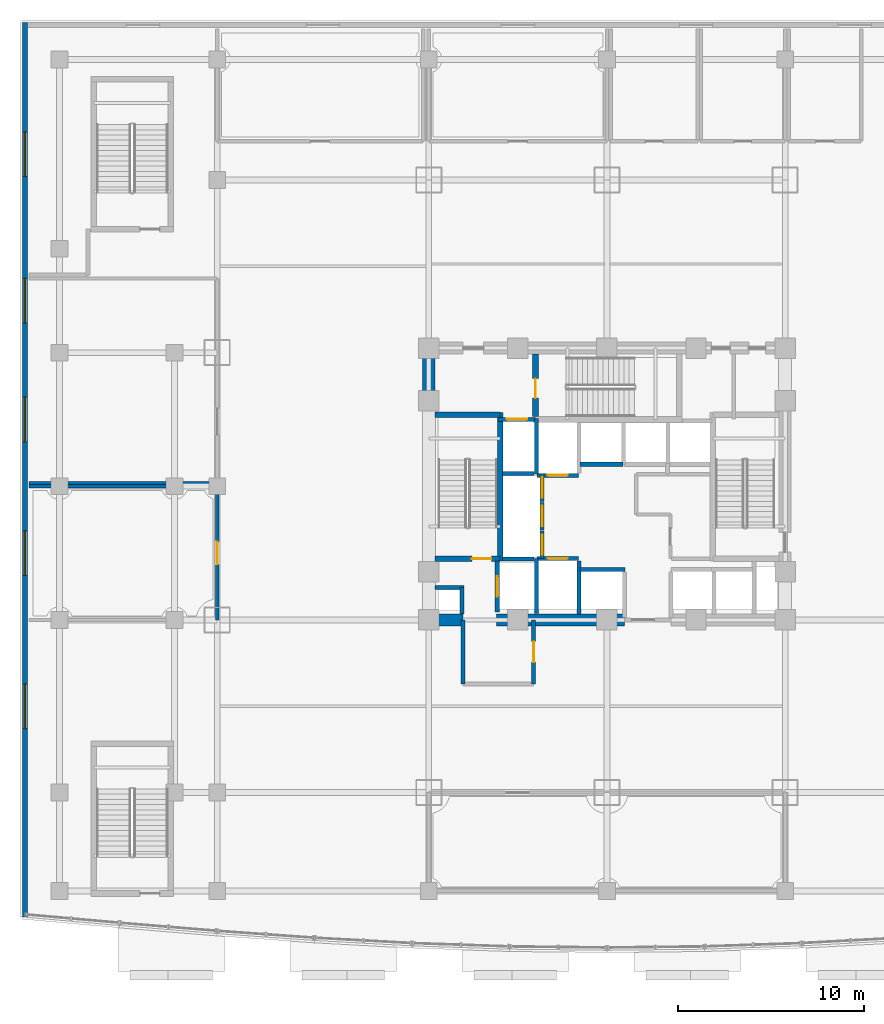
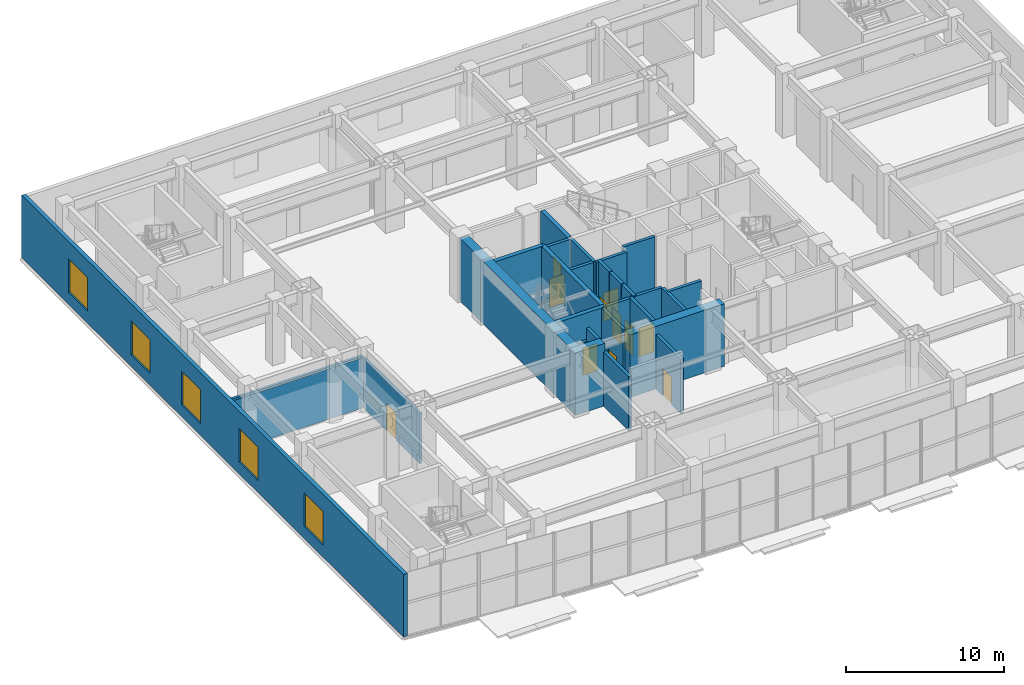
# One storey, part 12 of 24: 29 walls, 11 doors, 5 windows, 16 openings.
"""IFC4 building model written with IfcOpenShell, lengths in metres."""

from ifc_helpers import new_model, si_unit, direction, frame, frame_2d, origin, place, context, subcontext, project, spatial, rectangle, extrude, material, layer, layer_set, type_object, element, fill, save


model = new_model("IFC4")

# Units and contexts
model_context = context("Model", 3, precision=1e-05, world=origin(), true_north=direction((0.0, 1.0)))
body_context = subcontext(model_context, "Body", "Model", "MODEL_VIEW")
ifc_project = project(units=[si_unit("LENGTHUNIT", "METRE"), si_unit("AREAUNIT", "SQUARE_METRE"), si_unit("VOLUMEUNIT", "CUBIC_METRE"), si_unit("PLANEANGLEUNIT", "RADIAN"), si_unit("MASSUNIT", "GRAM", prefix="KILO")], contexts=[model_context])

# Site, building, storey
site_placement = place(None, origin())
site = spatial("IfcSite", under=ifc_project, at=site_placement, CompositionType="ELEMENT")
building_placement = place(site_placement, origin())
building = spatial("IfcBuilding", under=site, at=building_placement, Name="Vantalir Tower", CompositionType="ELEMENT")
storey_placement = place(building_placement, frame((0.0, 0.0, 6.0)))
storey = spatial("IfcBuildingStorey", under=building, at=storey_placement, Name="L01", CompositionType="ELEMENT", Elevation=6.0)

# Walls
ifc_material_1 = material(Name="Concrete C60/75", Category="concrete")
ifc_layer_1 = layer(ifc_material_1, 0.64990234375)
ifc_layer_set_1 = layer_set([ifc_layer_1], Name="Concrete C60/75")
wall_type_1 = type_object("IfcWallType", Name="WL-CORE-650", PredefinedType="SHEAR", material=ifc_layer_set_1)
wall_1_placement = place(storey_placement, frame((21.574951171875, 17.800048828125, 0.0), z_axis=(0.0, 0.0, 1.0), x_axis=(1.0, 0.0, 0.0)))
element("IfcWall", 1, at=wall_1_placement, inside=storey, type_object=wall_type_1, Name="Floor 1 Core Shear Wall South-West", PredefinedType="SHEAR", context=body_context, shape_type="SweptSolid", body=[
    extrude(rectangle(XDim=2.175048828125, YDim=0.64990234375, at=frame_2d((1.08740234375, 0.0))), origin(), (0.0, 0.0, 1.0), 4.820068359375),
])
wall_2_placement = place(storey_placement, frame((25.550048828125, 17.800048828125, 0.0), z_axis=(0.0, 0.0, 1.0), x_axis=(1.0, 0.0, 0.0)))
element("IfcWall", 2, at=wall_2_placement, inside=storey, type_object=wall_type_1, Name="Floor 1 Core Shear Wall South-Mid", PredefinedType="SHEAR", context=body_context, shape_type="SweptSolid", body=[
    extrude(rectangle(XDim=6.89990234375, YDim=0.64990234375, at=frame_2d((3.449951171875, 0.0))), origin(), (0.0, 0.0, 1.0), 4.820068359375),
])
wall_3_placement = place(storey_placement, frame((21.89990234375, 18.125, 0.0), z_axis=(0.0, 0.0, 1.0), x_axis=(0.0, 1.0, 0.0)))
element("IfcWall", 3, at=wall_3_placement, inside=storey, type_object=wall_type_1, Name="Floor 1 Core Shear Wall West", PredefinedType="SHEAR", context=body_context, shape_type="SweptSolid", body=[
    extrude(rectangle(XDim=14.0, YDim=0.64990234375, at=frame_2d((7.0, 0.0))), origin(), (0.0, 0.0, 1.0), 4.820068359375),
])

# Wall, openings, windows
ifc_material_2 = material(Name="Precast concrete C40/50 with insulated PVDF rainscreen", Category="concrete")
ifc_layer_2 = layer(ifc_material_2, 0.280029296875)
ifc_layer_set_2 = layer_set([ifc_layer_2], Name="Precast concrete C40/50 with insulated PVDF rainscreen")
wall_type_2 = type_object("IfcWallType", Name="WL-EXT-POD-280", PredefinedType="SOLIDWALL", material=ifc_layer_set_2)
wall_4_placement = place(storey_placement, frame((0.139892578125, 50.0, 0.0), z_axis=(0.0, 0.0, 1.0), x_axis=(0.0, -1.0, 0.0)))
wall_4 = element("IfcWall", 4, at=wall_4_placement, inside=storey, type_object=wall_type_2, Name="Level 01 Podium West Precast Facade Wall", PredefinedType="SOLIDWALL", context=body_context, shape_type="SweptSolid", body=[
    extrude(rectangle(XDim=48.199951171875, YDim=0.280029296875, at=frame_2d((24.10009765625, 0.0))), origin(), (0.0, 0.0, 1.0), 4.820068359375),
])
opening_1_placement = place(wall_4_placement, frame((35.64990234375, 0.0, 0.89990234375)))
opening_1 = element("IfcOpeningElement", 5, at=opening_1_placement, cuts=wall_4, Name="Opening WN-1", PredefinedType="OPENING", context=body_context, shape_type="SweptSolid", body=[
    extrude(rectangle(XDim=2.39990234375, YDim=2.60009765625, at=frame_2d((1.199951171875, 1.300048828125))), frame((0.0, 0.14990234375, 0.0), z_axis=(0.0, -1.0, 0.0), x_axis=(1.0, 0.0, 0.0)), (0.0, 0.0, 1.0), 0.300048828125),
])
opening_2_placement = place(wall_4_placement, frame((27.39990234375, 0.0, 0.89990234375)))
opening_2 = element("IfcOpeningElement", 6, at=opening_2_placement, cuts=wall_4, Name="Opening WN-1", PredefinedType="OPENING", context=body_context, shape_type="SweptSolid", body=[
    extrude(rectangle(XDim=2.39990234375, YDim=2.60009765625, at=frame_2d((1.199951171875, 1.300048828125))), frame((0.0, 0.14990234375, 0.0), z_axis=(0.0, -1.0, 0.0), x_axis=(1.0, 0.0, 0.0)), (0.0, 0.0, 1.0), 0.300048828125),
])
opening_3_placement = place(wall_4_placement, frame((20.199951171875, 0.0, 0.89990234375)))
opening_3 = element("IfcOpeningElement", 7, at=opening_3_placement, cuts=wall_4, Name="Opening WN-1", PredefinedType="OPENING", context=body_context, shape_type="SweptSolid", body=[
    extrude(rectangle(XDim=2.39990234375, YDim=2.60009765625, at=frame_2d((1.199951171875, 1.300048828125))), frame((0.0, 0.14990234375, 0.0), z_axis=(0.0, -1.0, 0.0), x_axis=(1.0, 0.0, 0.0)), (0.0, 0.0, 1.0), 0.300048828125),
])
opening_4_placement = place(wall_4_placement, frame((13.800048828125, 0.0, 0.89990234375)))
opening_4 = element("IfcOpeningElement", 8, at=opening_4_placement, cuts=wall_4, Name="Opening WN-1", PredefinedType="OPENING", context=body_context, shape_type="SweptSolid", body=[
    extrude(rectangle(XDim=2.39990234375, YDim=2.60009765625, at=frame_2d((1.199951171875, 1.300048828125))), frame((0.0, 0.14990234375, 0.0), z_axis=(0.0, -1.0, 0.0), x_axis=(1.0, 0.0, 0.0)), (0.0, 0.0, 1.0), 0.300048828125),
])
opening_5_placement = place(wall_4_placement, frame((5.89990234375, 0.0, 0.89990234375)))
opening_5 = element("IfcOpeningElement", 9, at=opening_5_placement, cuts=wall_4, Name="Opening WN-1", PredefinedType="OPENING", context=body_context, shape_type="SweptSolid", body=[
    extrude(rectangle(XDim=2.39990234375, YDim=2.60009765625, at=frame_2d((1.199951171875, 1.300048828125))), frame((0.0, 0.14990234375, 0.0), z_axis=(0.0, -1.0, 0.0), x_axis=(1.0, 0.0, 0.0)), (0.0, 0.0, 1.0), 0.300048828125),
])
ifc_material_3 = material(Name="Double-silver Low-E thermally broken window", Category="glass")
window_type = type_object("IfcWindowType", Name="WIN-POD-2400x2600", PartitioningType="SINGLE_PANEL", PredefinedType="WINDOW", material=ifc_material_3)
window_1_placement = place(opening_1_placement, origin())
window_1 = element("IfcWindow", 10, at=window_1_placement, inside=storey, type_object=window_type, Name="Level 01 West Podium Window W01", OverallHeight=2.60009765625, OverallWidth=2.39990234375, PartitioningType="SINGLE_PANEL", PredefinedType="WINDOW", context=body_context, shape_type="SweptSolid", body=[
    extrude(rectangle(XDim=2.39990234375, YDim=2.60009765625, at=frame_2d((1.199951171875, 1.300048828125))), frame((0.0, 0.030029296875, 0.0), z_axis=(0.0, -1.0, 0.0), x_axis=(1.0, 0.0, 0.0)), (0.0, 0.0, 1.0), 0.06005859375),
])
fill(opening_1, window_1)
window_2_placement = place(opening_2_placement, origin())
window_2 = element("IfcWindow", 11, at=window_2_placement, inside=storey, type_object=window_type, Name="Level 01 West Podium Window W02", OverallHeight=2.60009765625, OverallWidth=2.39990234375, PartitioningType="SINGLE_PANEL", PredefinedType="WINDOW", context=body_context, shape_type="SweptSolid", body=[
    extrude(rectangle(XDim=2.39990234375, YDim=2.60009765625, at=frame_2d((1.199951171875, 1.300048828125))), frame((0.0, 0.030029296875, 0.0), z_axis=(0.0, -1.0, 0.0), x_axis=(1.0, 0.0, 0.0)), (0.0, 0.0, 1.0), 0.06005859375),
])
fill(opening_2, window_2)
window_3_placement = place(opening_3_placement, origin())
window_3 = element("IfcWindow", 12, at=window_3_placement, inside=storey, type_object=window_type, Name="Level 01 West Podium Window W03", OverallHeight=2.60009765625, OverallWidth=2.39990234375, PartitioningType="SINGLE_PANEL", PredefinedType="WINDOW", context=body_context, shape_type="SweptSolid", body=[
    extrude(rectangle(XDim=2.39990234375, YDim=2.60009765625, at=frame_2d((1.199951171875, 1.300048828125))), frame((0.0, 0.030029296875, 0.0), z_axis=(0.0, -1.0, 0.0), x_axis=(1.0, 0.0, 0.0)), (0.0, 0.0, 1.0), 0.06005859375),
])
fill(opening_3, window_3)
window_4_placement = place(opening_4_placement, origin())
window_4 = element("IfcWindow", 13, at=window_4_placement, inside=storey, type_object=window_type, Name="Level 01 West Podium Window W04", OverallHeight=2.60009765625, OverallWidth=2.39990234375, PartitioningType="SINGLE_PANEL", PredefinedType="WINDOW", context=body_context, shape_type="SweptSolid", body=[
    extrude(rectangle(XDim=2.39990234375, YDim=2.60009765625, at=frame_2d((1.199951171875, 1.300048828125))), frame((0.0, 0.030029296875, 0.0), z_axis=(0.0, -1.0, 0.0), x_axis=(1.0, 0.0, 0.0)), (0.0, 0.0, 1.0), 0.06005859375),
])
fill(opening_4, window_4)
window_5_placement = place(opening_5_placement, origin())
window_5 = element("IfcWindow", 14, at=window_5_placement, inside=storey, type_object=window_type, Name="Level 01 West Podium Window W05", OverallHeight=2.60009765625, OverallWidth=2.39990234375, PartitioningType="SINGLE_PANEL", PredefinedType="WINDOW", context=body_context, shape_type="SweptSolid", body=[
    extrude(rectangle(XDim=2.39990234375, YDim=2.60009765625, at=frame_2d((1.199951171875, 1.300048828125))), frame((0.0, 0.030029296875, 0.0), z_axis=(0.0, -1.0, 0.0), x_axis=(1.0, 0.0, 0.0)), (0.0, 0.0, 1.0), 0.06005859375),
])
fill(opening_5, window_5)

# Walls
ifc_material_4 = material(Name="Concrete blockwork with fireboard lining", Category="masonry")
ifc_layer_3 = layer(ifc_material_4, 0.219970703125)
ifc_layer_set_3 = layer_set([ifc_layer_3], Name="Concrete blockwork with fireboard lining")
wall_type_3 = type_object("IfcWallType", Name="WL-FFL-220", PredefinedType="PARTITIONING", material=ifc_layer_set_3)
wall_5_placement = place(storey_placement, frame((30.0, 18.080078125, 0.0), z_axis=(0.0, 0.0, 1.0), x_axis=(0.0, 1.0, 0.0)))
element("IfcWall", 15, at=wall_5_placement, inside=storey, type_object=wall_type_3, Name="Level 01 Service Lift SV1 East Shaft Wall", PredefinedType="PARTITIONING", context=body_context, shape_type="SweptSolid", body=[
    extrude(rectangle(XDim=2.89990234375, YDim=0.219970703125, at=frame_2d((1.449951171875, 0.0))), origin(), (0.0, 0.0, 1.0), 4.794921875),
])
wall_6_placement = place(storey_placement, frame((23.679931640625, 18.125, 0.0), z_axis=(0.0, 0.0, 1.0), x_axis=(0.0, 1.0, 0.0)))
element("IfcWall", 16, at=wall_6_placement, inside=storey, type_object=wall_type_3, Name="Floor 1 West MEP Riser Wall E", PredefinedType="PARTITIONING", context=body_context, shape_type="SweptSolid", body=[
    extrude(rectangle(XDim=1.425048828125, YDim=0.219970703125, at=frame_2d((0.71240234375, 0.0))), origin(), (0.0, 0.0, 1.0), 4.800048828125),
])
wall_7_placement = place(storey_placement, frame((22.22509765625, 19.550048828125, 0.0), z_axis=(0.0, 0.0, 1.0), x_axis=(1.0, 0.0, 0.0)))
element("IfcWall", 17, at=wall_7_placement, inside=storey, type_object=wall_type_3, Name="Floor 1 West MEP Riser Wall N", PredefinedType="PARTITIONING", context=body_context, shape_type="SweptSolid", body=[
    extrude(rectangle(XDim=1.56494140625, YDim=0.219970703125, at=frame_2d((0.782470703125, 0.0))), origin(), (0.0, 0.0, 1.0), 3.844970703125),
])

# Wall, opening, door
wall_8_placement = place(storey_placement, frame((25.590087890625, 18.219970703125, 0.0), z_axis=(0.0, 0.0, 1.0), x_axis=(0.0, 1.0, 0.0)))
wall_8 = element("IfcWall", 18, at=wall_8_placement, inside=storey, type_object=wall_type_3, Name="Floor 1 Lift FL1 Shaft Front Wall", PredefinedType="PARTITIONING", context=body_context, shape_type="SweptSolid", body=[
    extrude(rectangle(XDim=2.760009765625, YDim=0.219970703125, at=frame_2d((1.3798828125, 0.0))), origin(), (0.0, 0.0, 1.0), 4.800048828125),
])
opening_6_placement = place(wall_8_placement, frame((0.830078125, 0.0, 0.0)))
opening_6 = element("IfcOpeningElement", 19, at=opening_6_placement, cuts=wall_8, Name="Opening LD-FL1", PredefinedType="OPENING", context=body_context, shape_type="SweptSolid", body=[
    extrude(rectangle(XDim=1.10009765625, YDim=2.199951171875, at=frame_2d((0.550048828125, 1.10009765625))), frame((0.0, 0.119873046875, 0.0), z_axis=(0.0, -1.0, 0.0), x_axis=(1.0, 0.0, 0.0)), (0.0, 0.0, 1.0), 0.239990234375),
])
ifc_material_5 = material(Name="Brushed stainless-steel sliding lift landing door", Category="steel")
door_type_1 = type_object("IfcDoorType", Name="DR-LIFT-LANDING-1100", OperationType="DOUBLE_DOOR_SLIDING", PredefinedType="DOOR", material=ifc_material_5)
door_1_placement = place(opening_6_placement, origin())
door_1 = element("IfcDoor", 20, at=door_1_placement, inside=storey, type_object=door_type_1, Name="Floor 1 Lift Landing Door FL1", OperationType="DOUBLE_DOOR_SLIDING", OverallHeight=2.199951171875, OverallWidth=1.10009765625, PredefinedType="DOOR", context=body_context, shape_type="SweptSolid", body=[
    extrude(rectangle(XDim=1.10009765625, YDim=2.199951171875, at=frame_2d((0.550048828125, 1.10009765625))), frame((0.0, 0.02490234375, 0.0), z_axis=(0.0, -1.0, 0.0), x_axis=(1.0, 0.0, 0.0)), (0.0, 0.0, 1.0), 0.050048828125),
])
fill(opening_6, door_1)

wall_9_placement = place(storey_placement, frame((25.639892578125, 28.610107421875, 0.0), z_axis=(0.0, 0.0, 1.0), x_axis=(1.0, 0.0, 0.0)))
wall_9 = element("IfcWall", 21, at=wall_9_placement, inside=storey, type_object=wall_type_3, Name="Floor 1 Lift FL2 Shaft Front Wall", PredefinedType="PARTITIONING", context=body_context, shape_type="SweptSolid", body=[
    extrude(rectangle(XDim=2.02001953125, YDim=0.219970703125, at=frame_2d((1.010009765625, 0.0))), origin(), (0.0, 0.0, 1.0), 4.800048828125),
])
opening_7_placement = place(wall_9_placement, frame((0.4599609375, 0.0, 0.0)))
opening_7 = element("IfcOpeningElement", 22, at=opening_7_placement, cuts=wall_9, Name="Opening LD-FL2", PredefinedType="OPENING", context=body_context, shape_type="SweptSolid", body=[
    extrude(rectangle(XDim=1.10009765625, YDim=2.199951171875, at=frame_2d((0.550048828125, 1.10009765625))), frame((0.0, 0.119873046875, 0.0), z_axis=(0.0, -1.0, 0.0), x_axis=(1.0, 0.0, 0.0)), (0.0, 0.0, 1.0), 0.239990234375),
])
door_2_placement = place(opening_7_placement, origin())
door_2 = element("IfcDoor", 23, at=door_2_placement, inside=storey, type_object=door_type_1, Name="Floor 1 Lift Landing Door FL2", OperationType="DOUBLE_DOOR_SLIDING", OverallHeight=2.199951171875, OverallWidth=1.10009765625, PredefinedType="DOOR", context=body_context, shape_type="SweptSolid", body=[
    extrude(rectangle(XDim=1.10009765625, YDim=2.199951171875, at=frame_2d((0.550048828125, 1.10009765625))), frame((0.0, 0.02490234375, 0.0), z_axis=(0.0, -1.0, 0.0), x_axis=(1.0, 0.0, 0.0)), (0.0, 0.0, 1.0), 0.050048828125),
])
fill(opening_7, door_2)

wall_10_placement = place(storey_placement, frame((27.739990234375, 21.110107421875, 0.0), z_axis=(0.0, 0.0, 1.0), x_axis=(1.0, 0.0, 0.0)))
wall_10 = element("IfcWall", 24, at=wall_10_placement, inside=storey, type_object=wall_type_3, Name="Floor 1 Lift SV1 Shaft Front Wall", PredefinedType="PARTITIONING", context=body_context, shape_type="SweptSolid", body=[
    extrude(rectangle(XDim=2.219970703125, YDim=0.219970703125, at=frame_2d((1.10986328125, 0.0))), origin(), (0.0, 0.0, 1.0), 4.800048828125),
])
opening_8_placement = place(wall_10_placement, frame((0.56005859375, 0.0, 0.0)))
opening_8 = element("IfcOpeningElement", 25, at=opening_8_placement, cuts=wall_10, Name="Opening LD-SV1", PredefinedType="OPENING", context=body_context, shape_type="SweptSolid", body=[
    extrude(rectangle(XDim=1.10009765625, YDim=2.199951171875, at=frame_2d((0.550048828125, 1.10009765625))), frame((0.0, 0.119873046875, 0.0), z_axis=(0.0, -1.0, 0.0), x_axis=(1.0, 0.0, 0.0)), (0.0, 0.0, 1.0), 0.239990234375),
])
door_3_placement = place(opening_8_placement, origin())
door_3 = element("IfcDoor", 26, at=door_3_placement, inside=storey, type_object=door_type_1, Name="Floor 1 Lift Landing Door SV1", OperationType="DOUBLE_DOOR_SLIDING", OverallHeight=2.199951171875, OverallWidth=1.10009765625, PredefinedType="DOOR", context=body_context, shape_type="SweptSolid", body=[
    extrude(rectangle(XDim=1.10009765625, YDim=2.199951171875, at=frame_2d((0.550048828125, 1.10009765625))), frame((0.0, 0.02490234375, 0.0), z_axis=(0.0, -1.0, 0.0), x_axis=(1.0, 0.0, 0.0)), (0.0, 0.0, 1.0), 0.050048828125),
])
fill(opening_8, door_3)

wall_11_placement = place(storey_placement, frame((27.739990234375, 25.590087890625, 0.0), z_axis=(0.0, 0.0, 1.0), x_axis=(1.0, 0.0, 0.0)))
wall_11 = element("IfcWall", 27, at=wall_11_placement, inside=storey, type_object=wall_type_3, Name="Floor 1 Lift SV2 Shaft Front Wall", PredefinedType="PARTITIONING", context=body_context, shape_type="SweptSolid", body=[
    extrude(rectangle(XDim=2.219970703125, YDim=0.219970703125, at=frame_2d((1.10986328125, 0.0))), origin(), (0.0, 0.0, 1.0), 4.800048828125),
])
opening_9_placement = place(wall_11_placement, frame((0.56005859375, 0.0, 0.0)))
opening_9 = element("IfcOpeningElement", 28, at=opening_9_placement, cuts=wall_11, Name="Opening LD-SV2", PredefinedType="OPENING", context=body_context, shape_type="SweptSolid", body=[
    extrude(rectangle(XDim=1.10009765625, YDim=2.199951171875, at=frame_2d((0.550048828125, 1.10009765625))), frame((0.0, 0.119873046875, 0.0), z_axis=(0.0, -1.0, 0.0), x_axis=(1.0, 0.0, 0.0)), (0.0, 0.0, 1.0), 0.239990234375),
])
door_4_placement = place(opening_9_placement, frame((1.10009765625, 0.0, 0.0), z_axis=(0.0, 0.0, 1.0), x_axis=(-1.0, 0.0, 0.0)))
door_4 = element("IfcDoor", 29, at=door_4_placement, inside=storey, type_object=door_type_1, Name="Floor 1 Lift Landing Door SV2", OperationType="DOUBLE_DOOR_SLIDING", OverallHeight=2.199951171875, OverallWidth=1.10009765625, PredefinedType="DOOR", context=body_context, shape_type="SweptSolid", body=[
    extrude(rectangle(XDim=1.10009765625, YDim=2.199951171875, at=frame_2d((0.550048828125, 1.10009765625))), frame((0.0, 0.02490234375, 0.0), z_axis=(0.0, -1.0, 0.0), x_axis=(1.0, 0.0, 0.0)), (0.0, 0.0, 1.0), 0.050048828125),
])
fill(opening_9, door_4)

# Walls
wall_12_placement = place(storey_placement, frame((30.0400390625, 20.510009765625, 0.0), z_axis=(0.0, 0.0, 1.0), x_axis=(1.0, 0.0, 0.0)))
element("IfcWall", 30, at=wall_12_placement, inside=storey, type_object=wall_type_3, Name="Floor 1 Lift PL-X1 Shaft Front Wall", PredefinedType="PARTITIONING", context=body_context, shape_type="SweptSolid", body=[
    extrude(rectangle(XDim=2.419921875, YDim=0.219970703125, at=frame_2d((1.2099609375, 0.0))), origin(), (0.0, 0.0, 1.0), 4.800048828125),
])
wall_13_placement = place(storey_placement, frame((30.0400390625, 26.18994140625, 0.0), z_axis=(0.0, 0.0, 1.0), x_axis=(1.0, 0.0, 0.0)))
element("IfcWall", 31, at=wall_13_placement, inside=storey, type_object=wall_type_3, Name="Floor 1 Lift PL-H1 Shaft Front Wall", PredefinedType="PARTITIONING", context=body_context, shape_type="SweptSolid", body=[
    extrude(rectangle(XDim=2.320068359375, YDim=0.219970703125, at=frame_2d((1.16015625, 0.0))), origin(), (0.0, 0.0, 1.0), 4.800048828125),
])

# Wall, opening, door
wall_14_placement = place(storey_placement, frame((28.010009765625, 21.10009765625, 0.0), z_axis=(0.0, 0.0, 1.0), x_axis=(0.0, 1.0, 0.0)))
wall_14 = element("IfcWall", 32, at=wall_14_placement, inside=storey, type_object=wall_type_3, Name="Floor 1 Lift PL-L1 Shaft Front Wall", PredefinedType="PARTITIONING", context=body_context, shape_type="SweptSolid", body=[
    extrude(rectangle(XDim=1.5, YDim=0.219970703125, at=frame_2d((0.75, 0.0))), origin(), (0.0, 0.0, 1.0), 4.800048828125),
])
opening_10_placement = place(wall_14_placement, frame((0.199951171875, 0.0, 0.0)))
opening_10 = element("IfcOpeningElement", 33, at=opening_10_placement, cuts=wall_14, Name="Opening LD-PL-L1", PredefinedType="OPENING", context=body_context, shape_type="SweptSolid", body=[
    extrude(rectangle(XDim=1.10009765625, YDim=2.199951171875, at=frame_2d((0.550048828125, 1.10009765625))), frame((0.0, 0.119873046875, 0.0), z_axis=(0.0, -1.0, 0.0), x_axis=(1.0, 0.0, 0.0)), (0.0, 0.0, 1.0), 0.239990234375),
])
door_5_placement = place(opening_10_placement, frame((1.10009765625, 0.0, 0.0), z_axis=(0.0, 0.0, 1.0), x_axis=(-1.0, 0.0, 0.0)))
door_5 = element("IfcDoor", 34, at=door_5_placement, inside=storey, type_object=door_type_1, Name="Floor 1 Lift Landing Door PL-L1", OperationType="DOUBLE_DOOR_SLIDING", OverallHeight=2.199951171875, OverallWidth=1.10009765625, PredefinedType="DOOR", context=body_context, shape_type="SweptSolid", body=[
    extrude(rectangle(XDim=1.10009765625, YDim=2.199951171875, at=frame_2d((0.550048828125, 1.10009765625))), frame((0.0, 0.02490234375, 0.0), z_axis=(0.0, -1.0, 0.0), x_axis=(1.0, 0.0, 0.0)), (0.0, 0.0, 1.0), 0.050048828125),
])
fill(opening_10, door_5)

wall_15_placement = place(storey_placement, frame((28.010009765625, 22.639892578125, 0.0), z_axis=(0.0, 0.0, 1.0), x_axis=(0.0, 1.0, 0.0)))
wall_15 = element("IfcWall", 35, at=wall_15_placement, inside=storey, type_object=wall_type_3, Name="Floor 1 Lift PL-L2 Shaft Front Wall", PredefinedType="PARTITIONING", context=body_context, shape_type="SweptSolid", body=[
    extrude(rectangle(XDim=1.5, YDim=0.219970703125, at=frame_2d((0.75, 0.0))), origin(), (0.0, 0.0, 1.0), 4.800048828125),
])
opening_11_placement = place(wall_15_placement, frame((0.199951171875, 0.0, 0.0)))
opening_11 = element("IfcOpeningElement", 36, at=opening_11_placement, cuts=wall_15, Name="Opening LD-PL-L2", PredefinedType="OPENING", context=body_context, shape_type="SweptSolid", body=[
    extrude(rectangle(XDim=1.10009765625, YDim=2.199951171875, at=frame_2d((0.550048828125, 1.10009765625))), frame((0.0, 0.119873046875, 0.0), z_axis=(0.0, -1.0, 0.0), x_axis=(1.0, 0.0, 0.0)), (0.0, 0.0, 1.0), 0.239990234375),
])
door_6_placement = place(opening_11_placement, frame((1.10009765625, 0.0, 0.0), z_axis=(0.0, 0.0, 1.0), x_axis=(-1.0, 0.0, 0.0)))
door_6 = element("IfcDoor", 37, at=door_6_placement, inside=storey, type_object=door_type_1, Name="Floor 1 Lift Landing Door PL-L2", OperationType="DOUBLE_DOOR_SLIDING", OverallHeight=2.199951171875, OverallWidth=1.10009765625, PredefinedType="DOOR", context=body_context, shape_type="SweptSolid", body=[
    extrude(rectangle(XDim=1.10009765625, YDim=2.199951171875, at=frame_2d((0.550048828125, 1.10009765625))), frame((0.0, 0.02490234375, 0.0), z_axis=(0.0, -1.0, 0.0), x_axis=(1.0, 0.0, 0.0)), (0.0, 0.0, 1.0), 0.050048828125),
])
fill(opening_11, door_6)

wall_16_placement = place(storey_placement, frame((28.010009765625, 24.179931640625, 0.0), z_axis=(0.0, 0.0, 1.0), x_axis=(0.0, 1.0, 0.0)))
wall_16 = element("IfcWall", 38, at=wall_16_placement, inside=storey, type_object=wall_type_3, Name="Floor 1 Lift PL-L3 Shaft Front Wall", PredefinedType="PARTITIONING", context=body_context, shape_type="SweptSolid", body=[
    extrude(rectangle(XDim=1.5, YDim=0.219970703125, at=frame_2d((0.75, 0.0))), origin(), (0.0, 0.0, 1.0), 4.800048828125),
])
opening_12_placement = place(wall_16_placement, frame((0.199951171875, 0.0, 0.0)))
opening_12 = element("IfcOpeningElement", 39, at=opening_12_placement, cuts=wall_16, Name="Opening LD-PL-L3", PredefinedType="OPENING", context=body_context, shape_type="SweptSolid", body=[
    extrude(rectangle(XDim=1.10009765625, YDim=2.199951171875, at=frame_2d((0.550048828125, 1.10009765625))), frame((0.0, 0.119873046875, 0.0), z_axis=(0.0, -1.0, 0.0), x_axis=(1.0, 0.0, 0.0)), (0.0, 0.0, 1.0), 0.239990234375),
])
door_7_placement = place(opening_12_placement, frame((1.10009765625, 0.0, 0.0), z_axis=(0.0, 0.0, 1.0), x_axis=(-1.0, 0.0, 0.0)))
door_7 = element("IfcDoor", 40, at=door_7_placement, inside=storey, type_object=door_type_1, Name="Floor 1 Lift Landing Door PL-L3", OperationType="DOUBLE_DOOR_SLIDING", OverallHeight=2.199951171875, OverallWidth=1.10009765625, PredefinedType="DOOR", context=body_context, shape_type="SweptSolid", body=[
    extrude(rectangle(XDim=1.10009765625, YDim=2.199951171875, at=frame_2d((0.550048828125, 1.10009765625))), frame((0.0, 0.02490234375, 0.0), z_axis=(0.0, -1.0, 0.0), x_axis=(1.0, 0.0, 0.0)), (0.0, 0.0, 1.0), 0.050048828125),
])
fill(opening_12, door_7)

# Walls
wall_17_placement = place(storey_placement, frame((27.699951171875, 18.14990234375, 0.0), z_axis=(0.0, 0.0, 1.0), x_axis=(0.0, 1.0, 0.0)))
element("IfcWall", 41, at=wall_17_placement, inside=storey, type_object=wall_type_3, Name="Floor 1 Fire Lift FL1 Dividing Wall", PredefinedType="PARTITIONING", context=body_context, shape_type="SweptSolid", body=[
    extrude(rectangle(XDim=2.9501953125, YDim=0.219970703125, at=frame_2d((1.47509765625, 0.0))), origin(), (0.0, 0.0, 1.0), 4.800048828125),
])
wall_18_placement = place(storey_placement, frame((27.699951171875, 25.64990234375, 0.0), z_axis=(0.0, 0.0, 1.0), x_axis=(0.0, 1.0, 0.0)))
element("IfcWall", 42, at=wall_18_placement, inside=storey, type_object=wall_type_3, Name="Floor 1 Fire Lift FL2 Dividing Wall", PredefinedType="PARTITIONING", context=body_context, shape_type="SweptSolid", body=[
    extrude(rectangle(XDim=3.0, YDim=0.219970703125, at=frame_2d((1.5, 0.0))), origin(), (0.0, 0.0, 1.0), 4.800048828125),
])
for number, where, z_axis, x_axis, name in (
    (43, (25.8798828125, 21.080078125, 0.0), (0.0, 0.0, 1.0), (1.0, 0.0, 0.0), "Floor 1 Low-Rise Bank South Wall"),
    (44, (25.8798828125, 25.679931640625, 0.0), (0.0, 0.0, 1.0), (1.0, 0.0, 0.0), "Floor 1 Low-Rise Bank North Wall"),
):
    element("IfcWall", number, at=place(storey_placement, frame(where, z_axis=z_axis, x_axis=x_axis)), inside=storey, type_object=wall_type_3, Name=name, PredefinedType="PARTITIONING", context=body_context, shape_type="SweptSolid", body=[
        extrude(rectangle(XDim=1.7001953125, YDim=0.219970703125, at=frame_2d((0.85009765625, 0.0))), origin(), (0.0, 0.0, 1.0), 4.800048828125),
    ])
wall_19_placement = place(storey_placement, frame((23.75, 14.35009765625, 0.0), z_axis=(0.0, 0.0, 1.0), x_axis=(0.0, 1.0, 0.0)))
element("IfcWall", 45, at=wall_19_placement, inside=storey, type_object=wall_type_3, Name="Floor 1 Firefighting Lobby West Outer W", PredefinedType="PARTITIONING", context=body_context, shape_type="SweptSolid", body=[
    extrude(rectangle(XDim=3.449951171875, YDim=0.219970703125, at=frame_2d((1.72509765625, 0.0))), origin(), (0.0, 0.0, 1.0), 4.177978515625),
])

# Wall, opening, door
wall_20_placement = place(storey_placement, frame((27.550048828125, 14.35009765625, 0.0), z_axis=(0.0, 0.0, 1.0), x_axis=(0.0, 1.0, 0.0)))
wall_20 = element("IfcWall", 46, at=wall_20_placement, inside=storey, type_object=wall_type_3, Name="Floor 1 Firefighting Lobby West East Wall", PredefinedType="PARTITIONING", context=body_context, shape_type="SweptSolid", body=[
    extrude(rectangle(XDim=3.449951171875, YDim=0.219970703125, at=frame_2d((1.72509765625, 0.0))), origin(), (0.0, 0.0, 1.0), 4.177978515625),
])
opening_13_placement = place(wall_20_placement, frame((1.175048828125, 0.0, 0.0)))
opening_13 = element("IfcOpeningElement", 47, at=opening_13_placement, cuts=wall_20, Name="Opening D-FFL", PredefinedType="OPENING", context=body_context, shape_type="SweptSolid", body=[
    extrude(rectangle(XDim=1.10009765625, YDim=2.10009765625, at=frame_2d((0.550048828125, 1.050048828125))), frame((0.0, 0.119873046875, 0.0), z_axis=(0.0, -1.0, 0.0), x_axis=(1.0, 0.0, 0.0)), (0.0, 0.0, 1.0), 0.239990234375),
])
ifc_material_6 = material(Name="Fire-rated acoustic steel door", Category="steel")
door_type_2 = type_object("IfcDoorType", Name="DR-FIRE-LOBBY-1100", OperationType="NOTDEFINED", PredefinedType="DOOR", material=ifc_material_6)
door_8_placement = place(opening_13_placement, origin())
door_8 = element("IfcDoor", 48, at=door_8_placement, inside=storey, type_object=door_type_2, Name="Floor 1 Firefighting Lobby West Access Door", OperationType="SINGLE_SWING_RIGHT", OverallHeight=2.10009765625, OverallWidth=1.10009765625, PredefinedType="DOOR", context=body_context, shape_type="SweptSolid", body=[
    extrude(rectangle(XDim=1.10009765625, YDim=2.10009765625, at=frame_2d((0.550048828125, 1.050048828125))), frame((0.0, 0.02490234375, 0.0), z_axis=(0.0, -1.0, 0.0), x_axis=(1.0, 0.0, 0.0)), (0.0, 0.0, 1.0), 0.050048828125),
])
fill(opening_13, door_8)

# Wall
ifc_material_7 = material(Name="Twin-stud acoustic fire-rated gypsum partition", Category="gypsum")
ifc_layer_4 = layer(ifc_material_7, 0.179931640625)
ifc_layer_set_4 = layer_set([ifc_layer_4], Name="Twin-stud acoustic fire-rated gypsum partition")
wall_type_4 = type_object("IfcWallType", Name="WL-GUEST-180", PredefinedType="PARTITIONING", material=ifc_layer_set_4)
wall_21_placement = place(storey_placement, frame((0.35009765625, 25.0, 0.0), z_axis=(0.0, 0.0, 1.0), x_axis=(1.0, 0.0, 0.0)))
element("IfcWall", 49, at=wall_21_placement, inside=storey, type_object=wall_type_4, Name="Floor 1 Straits Specialty Restaurant North Wall", PredefinedType="PARTITIONING", context=body_context, shape_type="SweptSolid", body=[
    extrude(rectangle(XDim=10.14990234375, YDim=0.179931640625, at=frame_2d((5.074951171875, 0.0))), origin(), (0.0, 0.0, 1.0), 3.867919921875),
])

# Wall, opening, door
wall_22_placement = place(storey_placement, frame((10.5, 17.800048828125, 0.0), z_axis=(0.0, 0.0, 1.0), x_axis=(0.0, 1.0, 0.0)))
wall_22 = element("IfcWall", 50, at=wall_22_placement, inside=storey, type_object=wall_type_4, Name="Floor 1 Straits Specialty Restaurant East Wall", PredefinedType="PARTITIONING", context=body_context, shape_type="SweptSolid", body=[
    extrude(rectangle(XDim=7.199951171875, YDim=0.179931640625, at=frame_2d((3.60009765625, 0.0))), origin(), (0.0, 0.0, 1.0), 3.867919921875),
])
opening_14_placement = place(wall_22_placement, frame((3.0, 0.0, 0.0)))
opening_14 = element("IfcOpeningElement", 51, at=opening_14_placement, cuts=wall_22, Name="Opening D-STE", PredefinedType="OPENING", context=body_context, shape_type="SweptSolid", body=[
    extrude(rectangle(XDim=1.199951171875, YDim=2.10009765625, at=frame_2d((0.60009765625, 1.050048828125))), frame((0.0, 0.099853515625, 0.0), z_axis=(0.0, -1.0, 0.0), x_axis=(1.0, 0.0, 0.0)), (0.0, 0.0, 1.0), 0.199951171875),
])
ifc_material_8 = material(Name="Solid-core teak veneer suite entrance door", Category="wood")
door_type_3 = type_object("IfcDoorType", Name="DR-SUITE-ENTRY-1200", OperationType="NOTDEFINED", PredefinedType="DOOR", material=ifc_material_8)
door_9_placement = place(opening_14_placement, origin())
door_9 = element("IfcDoor", 52, at=door_9_placement, inside=storey, type_object=door_type_3, Name="Floor 1 Straits Specialty Restaurant Door", OperationType="SINGLE_SWING_LEFT", OverallHeight=2.10009765625, OverallWidth=1.199951171875, PredefinedType="DOOR", context=body_context, shape_type="SweptSolid", body=[
    extrude(rectangle(XDim=1.199951171875, YDim=2.10009765625, at=frame_2d((0.60009765625, 1.050048828125))), frame((0.0, 0.02490234375, 0.0), z_axis=(0.0, -1.0, 0.0), x_axis=(1.0, 0.0, 0.0)), (0.0, 0.0, 1.0), 0.050048828125),
])
fill(opening_14, door_9)

# Wall
wall_23_placement = place(storey_placement, frame((0.35009765625, 25.179931640625, 0.0), z_axis=(0.0, 0.0, 1.0), x_axis=(1.0, 0.0, 0.0)))
element("IfcWall", 53, at=wall_23_placement, inside=storey, type_object=wall_type_4, Name="Floor 1 Commercial Finishing Kitchen South Wall", PredefinedType="PARTITIONING", context=body_context, shape_type="SweptSolid", body=[
    extrude(rectangle(XDim=10.14990234375, YDim=0.179931640625, at=frame_2d((5.074951171875, 0.0))), origin(), (0.0, 0.0, 1.0), 3.867919921875),
])

# Wall, opening, door
ifc_material_9 = material(Name="Concrete C50/60", Category="concrete")
ifc_layer_5 = layer(ifc_material_9, 0.300048828125)
ifc_layer_set_5 = layer_set([ifc_layer_5], Name="Concrete C50/60")
wall_type_5 = type_object("IfcWallType", Name="WL-STAIR-300", PredefinedType="SHEAR", material=ifc_layer_set_5)
wall_24_placement = place(storey_placement, frame((22.22509765625, 21.10009765625, 0.0), z_axis=(0.0, 0.0, 1.0), x_axis=(1.0, 0.0, 0.0)))
wall_24 = element("IfcWall", 54, at=wall_24_placement, inside=storey, type_object=wall_type_5, Name="Floor 1 Stair ST1 South Wall", PredefinedType="SHEAR", context=body_context, shape_type="SweptSolid", body=[
    extrude(rectangle(XDim=3.514892578125, YDim=0.300048828125, at=frame_2d((1.75732421875, 0.0))), origin(), (0.0, 0.0, 1.0), 4.820068359375),
])
opening_15_placement = place(wall_24_placement, frame((1.9951171875, 0.0, 0.0)))
opening_15 = element("IfcOpeningElement", 55, at=opening_15_placement, cuts=wall_24, Name="Opening D-ST", PredefinedType="OPENING", context=body_context, shape_type="SweptSolid", body=[
    extrude(rectangle(XDim=1.050048828125, YDim=2.10009765625, at=frame_2d((0.52490234375, 1.050048828125))), frame((0.0, 0.159912109375, 0.0), z_axis=(0.0, -1.0, 0.0), x_axis=(1.0, 0.0, 0.0)), (0.0, 0.0, 1.0), 0.320068359375),
])
ifc_material_10 = material(Name="Fire-rated steel door leaf", Category="steel")
door_type_4 = type_object("IfcDoorType", Name="DR-FIRE-STAIR-1050", OperationType="NOTDEFINED", PredefinedType="DOOR", material=ifc_material_10)
door_10_placement = place(opening_15_placement, origin())
door_10 = element("IfcDoor", 56, at=door_10_placement, inside=storey, type_object=door_type_4, Name="Floor 1 Exit Stair ST1 Fire Door", OperationType="SINGLE_SWING_RIGHT", OverallHeight=2.10009765625, OverallWidth=1.050048828125, PredefinedType="DOOR", context=body_context, shape_type="SweptSolid", body=[
    extrude(rectangle(XDim=1.050048828125, YDim=2.10009765625, at=frame_2d((0.52490234375, 1.050048828125))), frame((0.0, 0.02490234375, 0.0), z_axis=(0.0, -1.0, 0.0), x_axis=(1.0, 0.0, 0.0)), (0.0, 0.0, 1.0), 0.050048828125),
])
fill(opening_15, door_10)

# Walls
wall_25_placement = place(storey_placement, frame((22.22509765625, 28.85009765625, 0.0), z_axis=(0.0, 0.0, 1.0), x_axis=(1.0, 0.0, 0.0)))
element("IfcWall", 57, at=wall_25_placement, inside=storey, type_object=wall_type_5, Name="Floor 1 Stair ST1 North Wall", PredefinedType="SHEAR", context=body_context, shape_type="SweptSolid", body=[
    extrude(rectangle(XDim=3.514892578125, YDim=0.300048828125, at=frame_2d((1.75732421875, 0.0))), origin(), (0.0, 0.0, 1.0), 4.820068359375),
])
wall_26_placement = place(storey_placement, frame((25.739990234375, 20.97998046875, 0.0), z_axis=(0.0, 0.0, 1.0), x_axis=(0.0, 1.0, 0.0)))
element("IfcWall", 58, at=wall_26_placement, inside=storey, type_object=wall_type_5, Name="Floor 1 Stair ST1 East Wall", PredefinedType="SHEAR", context=body_context, shape_type="SweptSolid", body=[
    extrude(rectangle(XDim=7.989990234375, YDim=0.300048828125, at=frame_2d((3.9951171875, 0.0))), origin(), (0.0, 0.0, 1.0), 4.820068359375),
])

# Wall, opening, door
wall_27_placement = place(storey_placement, frame((27.64990234375, 28.75, 0.0), z_axis=(0.0, 0.0, 1.0), x_axis=(0.0, 1.0, 0.0)))
wall_27 = element("IfcWall", 59, at=wall_27_placement, inside=storey, type_object=wall_type_5, Name="Floor 1 Stair ST3 West Wall", PredefinedType="SHEAR", context=body_context, shape_type="SweptSolid", body=[
    extrude(rectangle(XDim=3.375, YDim=0.300048828125, at=frame_2d((1.6875, 0.0))), origin(), (0.0, 0.0, 1.0), 4.820068359375),
])
opening_16_placement = place(wall_27_placement, frame((1.0, 0.0, 0.0)))
opening_16 = element("IfcOpeningElement", 60, at=opening_16_placement, cuts=wall_27, Name="Opening D-ST", PredefinedType="OPENING", context=body_context, shape_type="SweptSolid", body=[
    extrude(rectangle(XDim=1.050048828125, YDim=2.10009765625, at=frame_2d((0.52490234375, 1.050048828125))), frame((0.0, 0.159912109375, 0.0), z_axis=(0.0, -1.0, 0.0), x_axis=(1.0, 0.0, 0.0)), (0.0, 0.0, 1.0), 0.320068359375),
])
door_11_placement = place(opening_16_placement, frame((1.050048828125, 0.0, 0.0), z_axis=(0.0, 0.0, 1.0), x_axis=(-1.0, 0.0, 0.0)))
door_11 = element("IfcDoor", 61, at=door_11_placement, inside=storey, type_object=door_type_4, Name="Floor 1 Exit Stair ST3 Fire Door", OperationType="SINGLE_SWING_RIGHT", OverallHeight=2.10009765625, OverallWidth=1.050048828125, PredefinedType="DOOR", context=body_context, shape_type="SweptSolid", body=[
    extrude(rectangle(XDim=1.050048828125, YDim=2.10009765625, at=frame_2d((0.52490234375, 1.050048828125))), frame((0.0, 0.02490234375, 0.0), z_axis=(0.0, -1.0, 0.0), x_axis=(1.0, 0.0, 0.0)), (0.0, 0.0, 1.0), 0.050048828125),
])
fill(opening_16, door_11)

save(model, "model.ifc")
